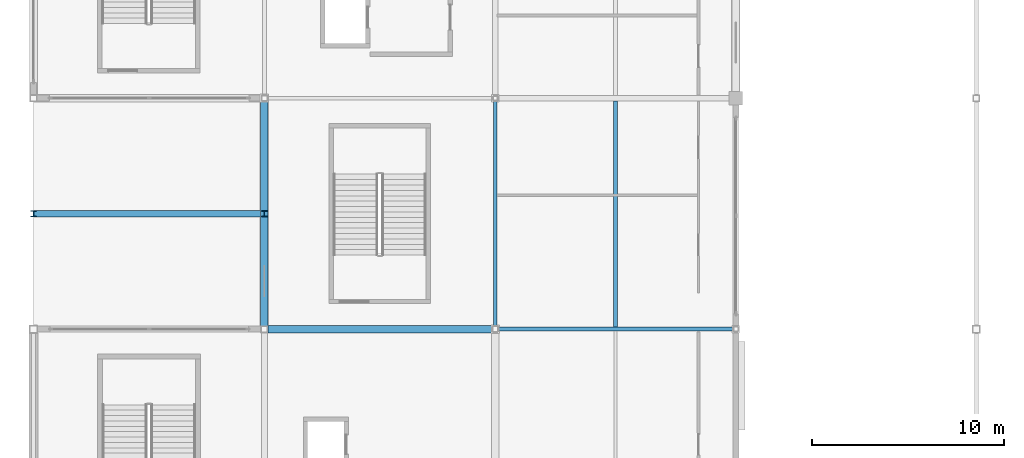
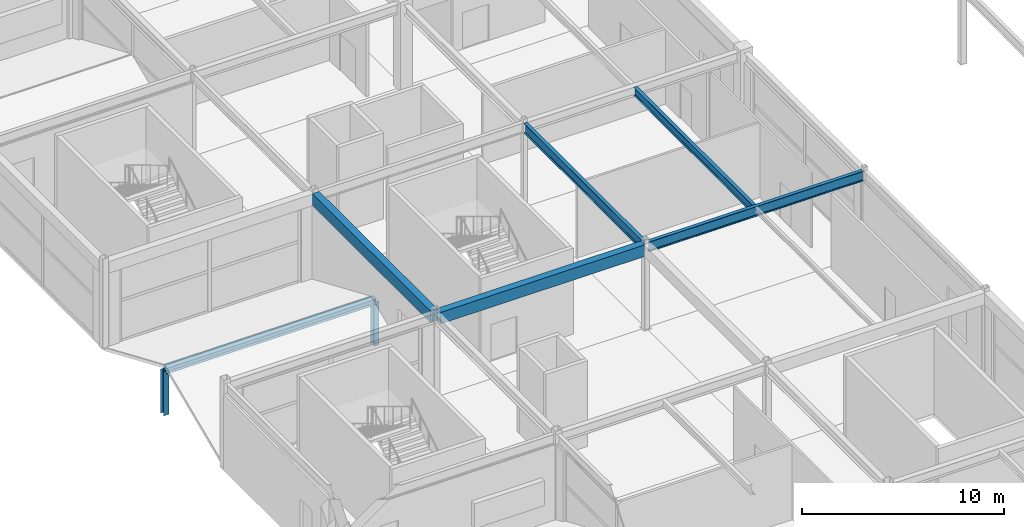
# One storey, part 36 of 105: 5 beams, 3 members.
"""IFC4 building model written with IfcOpenShell, lengths in metres."""

from ifc_helpers import new_model, si_unit, direction, frame, origin, origin_2d, place, context, subcontext, project, spatial, rectangle, i_section, extrude, material, material_profile, profile_set, type_object, element, save


model = new_model("IFC4")

# Units and contexts
model_context = context("Model", 3, precision=1e-05, world=origin(), true_north=direction((0.0, 1.0)))
body_context = subcontext(model_context, "Body", "Model", "MODEL_VIEW")
ifc_project = project(units=[si_unit("LENGTHUNIT", "METRE"), si_unit("AREAUNIT", "SQUARE_METRE"), si_unit("VOLUMEUNIT", "CUBIC_METRE"), si_unit("PLANEANGLEUNIT", "RADIAN"), si_unit("MASSUNIT", "GRAM", prefix="KILO")], contexts=[model_context])

# Site, building, storey
site_placement = place(None, origin())
site = spatial("IfcSite", under=ifc_project, at=site_placement, CompositionType="ELEMENT")
building_placement = place(site_placement, origin())
building = spatial("IfcBuilding", under=site, at=building_placement, Name="Kazenohara Klinker Stadium", CompositionType="ELEMENT")
storey_placement = place(building_placement, frame((0.0, 0.0, 20.39990234375)))
storey = spatial("IfcBuildingStorey", under=building, at=storey_placement, Name="L04", CompositionType="ELEMENT", Elevation=20.39990234375)

# Beams
ifc_material_1 = material(Name="Steel S355", Category="steel")
ifc_material_profile_1 = material_profile(ifc_material_1, i_section(OverallWidth=0.199951171875, OverallDepth=0.5, WebThickness=0.010009765625, FlangeThickness=0.01611328125, FilletRadius=0.012939453125, at=origin_2d()), Name="H-500x200x10x16")
ifc_profile_set_1 = profile_set([ifc_material_profile_1], Name="Steel S355")
beam_type_1 = type_object("IfcBeamType", Name="BM-JST01", PredefinedType="JOIST", material=ifc_profile_set_1)
beam_1_placement = place(storey_placement, frame((30.25, 96.10009765625, 4.93017578125), z_axis=(0.0, 1.0, 0.0), x_axis=(-1.0, 0.0, 0.0)))
element("IfcBeam", 1, at=beam_1_placement, inside=storey, type_object=beam_type_1, Name="Secondary floor joist SJ01 L04 3/J", PredefinedType="JOIST", context=body_context, shape_type="SweptSolid", body=[
    extrude(i_section(OverallWidth=0.199951171875, OverallDepth=0.5, WebThickness=0.010009765625, FlangeThickness=0.01611328125, FilletRadius=0.012939453125, at=origin_2d()), origin(), (0.0, 0.0, 1.0), 11.75),
])
ifc_material_2 = material(Name="Concrete C40/50", Category="concrete")
ifc_material_profile_2 = material_profile(ifc_material_2, rectangle(XDim=0.39990234375, YDim=0.699951171875, at=origin_2d()), Name="RC-BM-400x700")
ifc_profile_set_2 = profile_set([ifc_material_profile_2], Name="Concrete C40/50")
beam_type_2 = type_object("IfcBeamType", Name="BM-RC04", PredefinedType="BEAM", material=ifc_profile_set_2)
for number, where, z_axis, x_axis, name in (
    (2, (12.175048828125, 96.0, 4.830078125), (1.0, 0.0, 0.0), (0.0, 1.0, 0.0), "Primary girder BG04 L04 2-3/J"),
    (3, (12.0, 96.175048828125, 4.830078125), (0.0, 1.0, 0.0), (-1.0, 0.0, 0.0), "Primary girder BG04 L04 2/J-K"),
):
    element("IfcBeam", number, at=place(storey_placement, frame(where, z_axis=z_axis, x_axis=x_axis)), inside=storey, type_object=beam_type_2, Name=name, PredefinedType="BEAM", context=body_context, shape_type="SweptSolid", body=[
        extrude(rectangle(XDim=0.39990234375, YDim=0.699951171875, at=origin_2d()), origin(), (0.0, 0.0, 1.0), 11.675048828125),
    ])
ifc_material_profile_3 = material_profile(ifc_material_1, i_section(OverallWidth=0.199951171875, OverallDepth=0.60009765625, WebThickness=0.010986328125, FlangeThickness=0.01708984375, FilletRadius=0.012939453125, at=origin_2d()), Name="H-600x200x11x17")
ifc_profile_set_3 = profile_set([ifc_material_profile_3], Name="Steel S355")
beam_type_3 = type_object("IfcBeamType", Name="BM-ST04", PredefinedType="BEAM", material=ifc_profile_set_3)
beam_2_placement = place(storey_placement, frame((24.14990234375, 96.0, 4.880126953125), z_axis=(1.0, 0.0, 0.0), x_axis=(0.0, 1.0, 0.0)))
element("IfcBeam", 4, at=beam_2_placement, inside=storey, type_object=beam_type_3, Name="Primary girder SB04 L04 3-4/J", PredefinedType="BEAM", context=body_context, shape_type="SweptSolid", body=[
    extrude(i_section(OverallWidth=0.199951171875, OverallDepth=0.60009765625, WebThickness=0.010986328125, FlangeThickness=0.01708984375, FilletRadius=0.012939453125, at=origin_2d()), origin(), (0.0, 0.0, 1.0), 12.22509765625),
])
beam_3_placement = place(storey_placement, frame((24.0, 96.14990234375, 4.880126953125), z_axis=(0.0, 1.0, 0.0), x_axis=(-1.0, 0.0, 0.0)))
element("IfcBeam", 5, at=beam_3_placement, inside=storey, type_object=beam_type_3, Name="Primary girder SB04 L04 3/J-K", PredefinedType="BEAM", context=body_context, shape_type="SweptSolid", body=[
    extrude(i_section(OverallWidth=0.199951171875, OverallDepth=0.60009765625, WebThickness=0.010986328125, FlangeThickness=0.01708984375, FilletRadius=0.012939453125, at=origin_2d()), origin(), (0.0, 0.0, 1.0), 11.72509765625),
])

# Members
ifc_material_profile_4 = material_profile(ifc_material_1, i_section(OverallWidth=0.35009765625, OverallDepth=0.35009765625, WebThickness=0.011962890625, FlangeThickness=0.01904296875, FilletRadius=0.012939453125, at=origin_2d()), Name="H-350x350x12x19")
ifc_profile_set_4 = profile_set([ifc_material_profile_4], Name="Steel S355")
member_type_1 = type_object("IfcMemberType", Name="MEM-CHD02", PredefinedType="CHORD", material=ifc_profile_set_4)
member_placement = place(storey_placement, frame((0.0, 102.0, 2.22998046875), z_axis=(1.0, 0.0, 0.0), x_axis=(0.0, 1.0, 0.0)))
element("IfcMember", 6, at=member_placement, inside=storey, type_object=member_type_1, Name="Stepped pavilion gable ridge beam L04 1/J", PredefinedType="CHORD", context=body_context, shape_type="SweptSolid", body=[
    extrude(i_section(OverallWidth=0.35009765625, OverallDepth=0.35009765625, WebThickness=0.011962890625, FlangeThickness=0.01904296875, FilletRadius=0.012939453125, at=origin_2d()), origin(), (0.0, 0.0, 1.0), 12.0),
])
ifc_material_profile_5 = material_profile(ifc_material_1, i_section(OverallWidth=0.300048828125, OverallDepth=0.300048828125, WebThickness=0.010009765625, FlangeThickness=0.014892578125, FilletRadius=0.012939453125, at=origin_2d()), Name="H-300x300x10x15")
ifc_profile_set_5 = profile_set([ifc_material_profile_5], Name="Steel S355")
member_type_2 = type_object("IfcMemberType", Name="MEM-STR01", PredefinedType="STRUT", material=ifc_profile_set_5)
for number, where, z_axis, x_axis, name in (
    (7, (0.0, 102.0, -0.429931640625), (0.0, 0.0, 1.0), (1.0, 0.0, 0.0), "Stepped pavilion gable king-post L04 1/J W"),
    (8, (12.0, 102.0, -0.429931640625), (0.0, 0.0, 1.0), (1.0, 0.0, 0.0), "Stepped pavilion gable king-post L04 1/J E"),
):
    element("IfcMember", number, at=place(storey_placement, frame(where, z_axis=z_axis, x_axis=x_axis)), inside=storey, type_object=member_type_2, Name=name, PredefinedType="STRUT", context=body_context, shape_type="SweptSolid", body=[
        extrude(i_section(OverallWidth=0.300048828125, OverallDepth=0.300048828125, WebThickness=0.010009765625, FlangeThickness=0.014892578125, FilletRadius=0.012939453125, at=origin_2d()), origin(), (0.0, 0.0, 1.0), 2.659912109375),
    ])

save(model, "model.ifc")
